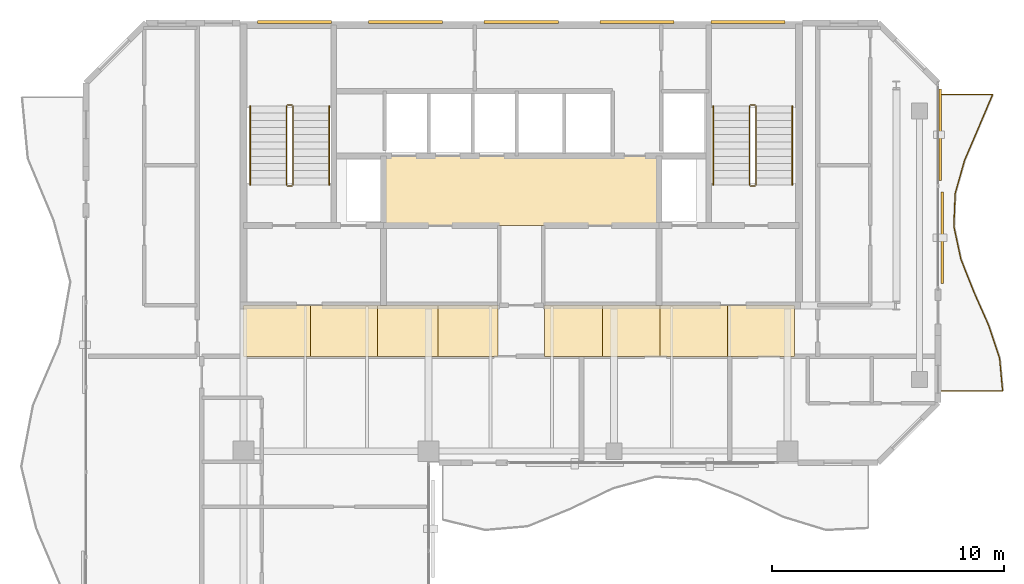
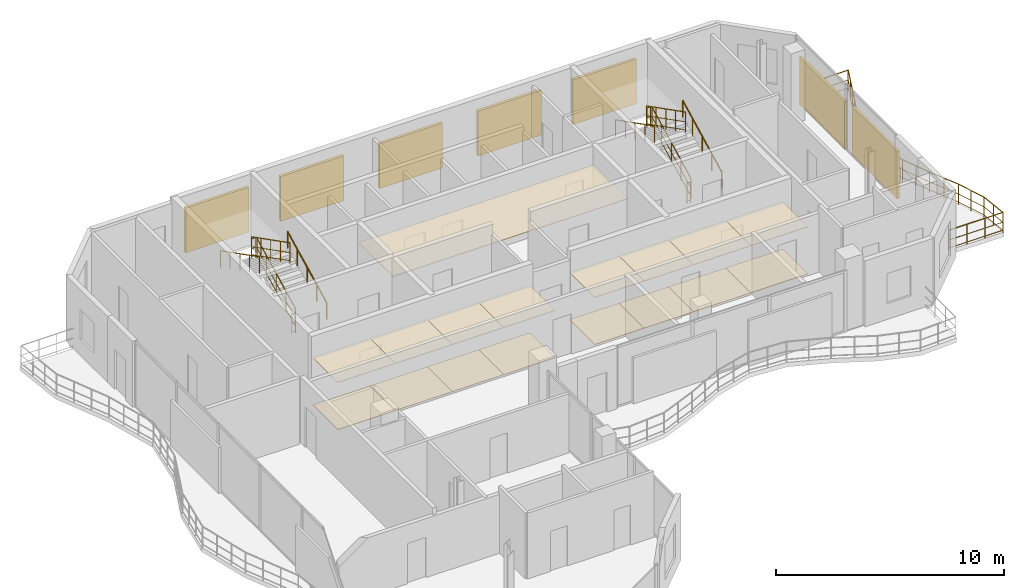
# One storey, part 17 of 17: 17 coverings, 13 railings, 7 shading devices.
"""IFC4 building model written with IfcOpenShell, lengths in metres."""

from ifc_helpers import new_model, si_unit, direction, frame, origin, origin_2d, place, context, subcontext, project, spatial, polyline, rectangle, circle, outline, extrude, material, layer, layer_set, type_object, element, save


model = new_model("IFC4")

# Units and contexts
model_context = context("Model", 3, precision=1e-05, world=origin(), true_north=direction((0.0, 1.0)))
body_context = subcontext(model_context, "Body", "Model", "MODEL_VIEW")
ifc_project = project(units=[si_unit("LENGTHUNIT", "METRE"), si_unit("AREAUNIT", "SQUARE_METRE"), si_unit("VOLUMEUNIT", "CUBIC_METRE"), si_unit("PLANEANGLEUNIT", "RADIAN"), si_unit("MASSUNIT", "GRAM", prefix="KILO")], contexts=[model_context])

# Site, building, storey
site_placement = place(None, origin())
site = spatial("IfcSite", under=ifc_project, at=site_placement, CompositionType="ELEMENT")
building_placement = place(site_placement, origin())
building = spatial("IfcBuilding", under=site, at=building_placement, Name="Catumbela Crestline Tower", CompositionType="ELEMENT")
storey_placement = place(building_placement, frame((0.0, 0.0, 279.2)))
storey = spatial("IfcBuildingStorey", under=building, at=storey_placement, Name="L72", CompositionType="ELEMENT", Elevation=279.2)

# Coverings
ifc_material_1 = material(Name="Mineral-fibre acoustic ceiling")
ifc_layer_1 = layer(ifc_material_1, 0.03, Name="Mineral-fibre acoustic ceiling")
ifc_layer_set_1 = layer_set([ifc_layer_1], Name="Mineral-fibre acoustic ceiling")
covering_type_1 = type_object("IfcCoveringType", Name="CC-AC", PredefinedType="CEILING", material=ifc_layer_set_1)
covering_1_placement = place(storey_placement, frame((0.0, 0.0, 2.65)))
element("IfcCovering", 1, at=covering_1_placement, inside=storey, type_object=covering_type_1, Name="L72 Lift Lobby Acoustic Ceiling", PredefinedType="CEILING", context=body_context, shape_type="SweptSolid", body=[
    extrude(outline(polyline([(22.05, 34.25), (33.95, 34.25), (33.95, 37.25), (22.05, 37.25), (22.05, 34.25)])), origin(), (0.0, 0.0, 1.0), 0.03),
])
covering_2_placement = place(storey_placement, frame((0.0, 0.0, 2.52)))
element("IfcCovering", 2, at=covering_2_placement, inside=storey, type_object=covering_type_1, Name="L72 Corridor Acoustic Ceiling Bay 1", PredefinedType="CEILING", context=body_context, shape_type="SweptSolid", body=[
    extrude(outline(polyline([(16.0, 28.6), (18.9, 28.6), (18.9, 30.8), (16.0, 30.8), (16.0, 28.6)])), origin(), (0.0, 0.0, 1.0), 0.03),
])
covering_3_placement = place(storey_placement, frame((0.0, 0.0, 2.52)))
element("IfcCovering", 3, at=covering_3_placement, inside=storey, type_object=covering_type_1, Name="L72 Corridor Acoustic Ceiling Bay 2", PredefinedType="CEILING", context=body_context, shape_type="SweptSolid", body=[
    extrude(outline(polyline([(18.9, 28.6), (21.8, 28.6), (21.8, 30.8), (18.9, 30.8), (18.9, 28.6)])), origin(), (0.0, 0.0, 1.0), 0.03),
])
covering_4_placement = place(storey_placement, frame((0.0, 0.0, 2.52)))
element("IfcCovering", 4, at=covering_4_placement, inside=storey, type_object=covering_type_1, Name="L72 Corridor Acoustic Ceiling Bay 3", PredefinedType="CEILING", context=body_context, shape_type="SweptSolid", body=[
    extrude(outline(polyline([(21.8, 28.6), (24.4, 28.6), (24.4, 30.8), (21.8, 30.8), (21.8, 28.6)])), origin(), (0.0, 0.0, 1.0), 0.03),
])
covering_5_placement = place(storey_placement, frame((0.0, 0.0, 2.52)))
element("IfcCovering", 5, at=covering_5_placement, inside=storey, type_object=covering_type_1, Name="L72 Corridor Acoustic Ceiling Bay 4", PredefinedType="CEILING", context=body_context, shape_type="SweptSolid", body=[
    extrude(outline(polyline([(24.4, 28.6), (27.0, 28.6), (27.0, 30.8), (24.4, 30.8), (24.4, 28.6)])), origin(), (0.0, 0.0, 1.0), 0.03),
])
covering_6_placement = place(storey_placement, frame((0.0, 0.0, 2.52)))
element("IfcCovering", 6, at=covering_6_placement, inside=storey, type_object=covering_type_1, Name="L72 Corridor Acoustic Ceiling Bay 5", PredefinedType="CEILING", context=body_context, shape_type="SweptSolid", body=[
    extrude(outline(polyline([(29.0, 28.6), (31.5, 28.6), (31.5, 30.8), (29.0, 30.8), (29.0, 28.6)])), origin(), (0.0, 0.0, 1.0), 0.03),
])
covering_7_placement = place(storey_placement, frame((0.0, 0.0, 2.52)))
element("IfcCovering", 7, at=covering_7_placement, inside=storey, type_object=covering_type_1, Name="L72 Corridor Acoustic Ceiling Bay 6", PredefinedType="CEILING", context=body_context, shape_type="SweptSolid", body=[
    extrude(outline(polyline([(31.5, 28.6), (34.0, 28.6), (34.0, 30.8), (31.5, 30.8), (31.5, 28.6)])), origin(), (0.0, 0.0, 1.0), 0.03),
])
covering_8_placement = place(storey_placement, frame((0.0, 0.0, 2.52)))
element("IfcCovering", 8, at=covering_8_placement, inside=storey, type_object=covering_type_1, Name="L72 Corridor Acoustic Ceiling Bay 7", PredefinedType="CEILING", context=body_context, shape_type="SweptSolid", body=[
    extrude(outline(polyline([(34.0, 28.6), (36.9, 28.6), (36.9, 30.8), (34.0, 30.8), (34.0, 28.6)])), origin(), (0.0, 0.0, 1.0), 0.03),
])
covering_9_placement = place(storey_placement, frame((0.0, 0.0, 2.52)))
element("IfcCovering", 9, at=covering_9_placement, inside=storey, type_object=covering_type_1, Name="L72 Corridor Acoustic Ceiling Bay 8", PredefinedType="CEILING", context=body_context, shape_type="SweptSolid", body=[
    extrude(outline(polyline([(36.9, 28.6), (39.8, 28.6), (39.8, 30.8), (36.9, 30.8), (36.9, 28.6)])), origin(), (0.0, 0.0, 1.0), 0.03),
])
ifc_material_2 = material(Name="Angolan grey-ochre granite", Category="masonry")
ifc_layer_2 = layer(ifc_material_2, 0.025, Name="Angolan grey-ochre granite")
ifc_layer_set_2 = layer_set([ifc_layer_2], Name="Angolan grey-ochre granite")
covering_type_2 = type_object("IfcCoveringType", Name="CF-GR", PredefinedType="FLOORING", material=ifc_layer_set_2)
covering_10_placement = place(storey_placement, origin())
element("IfcCovering", 10, at=covering_10_placement, inside=storey, type_object=covering_type_2, Name="L72 Corridor Granite Flooring Bay 1", PredefinedType="FLOORING", context=body_context, shape_type="SweptSolid", body=[
    extrude(outline(polyline([(16.0, 28.6), (18.9, 28.6), (18.9, 30.8), (16.0, 30.8), (16.0, 28.6)])), origin(), (0.0, 0.0, 1.0), 0.025),
])
covering_11_placement = place(storey_placement, origin())
element("IfcCovering", 11, at=covering_11_placement, inside=storey, type_object=covering_type_2, Name="L72 Corridor Granite Flooring Bay 2", PredefinedType="FLOORING", context=body_context, shape_type="SweptSolid", body=[
    extrude(outline(polyline([(18.9, 28.6), (21.8, 28.6), (21.8, 30.8), (18.9, 30.8), (18.9, 28.6)])), origin(), (0.0, 0.0, 1.0), 0.025),
])
covering_12_placement = place(storey_placement, origin())
element("IfcCovering", 12, at=covering_12_placement, inside=storey, type_object=covering_type_2, Name="L72 Corridor Granite Flooring Bay 3", PredefinedType="FLOORING", context=body_context, shape_type="SweptSolid", body=[
    extrude(outline(polyline([(21.8, 28.6), (24.4, 28.6), (24.4, 30.8), (21.8, 30.8), (21.8, 28.6)])), origin(), (0.0, 0.0, 1.0), 0.025),
])
covering_13_placement = place(storey_placement, origin())
element("IfcCovering", 13, at=covering_13_placement, inside=storey, type_object=covering_type_2, Name="L72 Corridor Granite Flooring Bay 4", PredefinedType="FLOORING", context=body_context, shape_type="SweptSolid", body=[
    extrude(outline(polyline([(24.4, 28.6), (27.0, 28.6), (27.0, 30.8), (24.4, 30.8), (24.4, 28.6)])), origin(), (0.0, 0.0, 1.0), 0.025),
])
covering_14_placement = place(storey_placement, origin())
element("IfcCovering", 14, at=covering_14_placement, inside=storey, type_object=covering_type_2, Name="L72 Corridor Granite Flooring Bay 5", PredefinedType="FLOORING", context=body_context, shape_type="SweptSolid", body=[
    extrude(outline(polyline([(29.0, 28.6), (31.5, 28.6), (31.5, 30.8), (29.0, 30.8), (29.0, 28.6)])), origin(), (0.0, 0.0, 1.0), 0.025),
])
covering_15_placement = place(storey_placement, origin())
element("IfcCovering", 15, at=covering_15_placement, inside=storey, type_object=covering_type_2, Name="L72 Corridor Granite Flooring Bay 6", PredefinedType="FLOORING", context=body_context, shape_type="SweptSolid", body=[
    extrude(outline(polyline([(31.5, 28.6), (34.0, 28.6), (34.0, 30.8), (31.5, 30.8), (31.5, 28.6)])), origin(), (0.0, 0.0, 1.0), 0.025),
])
covering_16_placement = place(storey_placement, origin())
element("IfcCovering", 16, at=covering_16_placement, inside=storey, type_object=covering_type_2, Name="L72 Corridor Granite Flooring Bay 7", PredefinedType="FLOORING", context=body_context, shape_type="SweptSolid", body=[
    extrude(outline(polyline([(34.0, 28.6), (36.9, 28.6), (36.9, 30.8), (34.0, 30.8), (34.0, 28.6)])), origin(), (0.0, 0.0, 1.0), 0.025),
])
covering_17_placement = place(storey_placement, origin())
element("IfcCovering", 17, at=covering_17_placement, inside=storey, type_object=covering_type_2, Name="L72 Corridor Granite Flooring Bay 8", PredefinedType="FLOORING", context=body_context, shape_type="SweptSolid", body=[
    extrude(outline(polyline([(36.9, 28.6), (39.8, 28.6), (39.8, 30.8), (36.9, 30.8), (36.9, 28.6)])), origin(), (0.0, 0.0, 1.0), 0.025),
])

# Railings
ifc_material_3 = material(Name="Stainless steel EN 1.4401", Category="steel")
railing_type_1 = type_object("IfcRailingType", Name="RB-1100", PredefinedType="BALUSTRADE", material=ifc_material_3)
railing_1_placement = place(storey_placement, frame((46.06, 27.1, 0.0)))
element("IfcRailing", 18, at=railing_1_placement, inside=storey, type_object=railing_type_1, Name="L72 Private Wave Balcony Balustrade 2", PredefinedType="BALUSTRADE", context=body_context, shape_type="SweptSolid", body=[
    extrude(circle(Radius=0.024, at=origin_2d()), frame((0.0, 0.0, 1.076), z_axis=(1.0, 0.0, 0.0), x_axis=(0.0, 1.0, 0.0)), (0.0, 0.0, 1.0), 2.73),
    extrude(circle(Radius=0.0156, at=origin_2d()), frame((0.0, 0.0, 0.55), z_axis=(1.0, 0.0, 0.0), x_axis=(0.0, 1.0, 0.0)), (0.0, 0.0, 1.0), 2.73),
    extrude(circle(Radius=0.0156, at=origin_2d()), frame((0.0, 0.0, 0.12), z_axis=(1.0, 0.0, 0.0), x_axis=(0.0, 1.0, 0.0)), (0.0, 0.0, 1.0), 2.73),
    extrude(circle(Radius=0.024, at=origin_2d()), frame((2.73, 0.0, 1.076), z_axis=(-0.091791958138, 0.99577820644, 0.0), x_axis=(-0.99577820644, -0.091791958138, 0.0)), (0.0, 0.0, 1.0), 1.4282),
    extrude(circle(Radius=0.0156, at=origin_2d()), frame((2.73, 0.0, 0.55), z_axis=(-0.091791958138, 0.99577820644, 0.0), x_axis=(-0.99577820644, -0.091791958138, 0.0)), (0.0, 0.0, 1.0), 1.4282),
    extrude(circle(Radius=0.0156, at=origin_2d()), frame((2.73, 0.0, 0.12), z_axis=(-0.091791958138, 0.99577820644, 0.0), x_axis=(-0.99577820644, -0.091791958138, 0.0)), (0.0, 0.0, 1.0), 1.4282),
    extrude(circle(Radius=0.024, at=origin_2d()), frame((2.5989, 1.4222, 1.076), z_axis=(-0.317807364035, 0.9481553034, 0.0), x_axis=(-0.9481553034, -0.317807364035, 0.0)), (0.0, 0.0, 1.0), 1.5),
    extrude(circle(Radius=0.0156, at=origin_2d()), frame((2.5989, 1.4222, 0.55), z_axis=(-0.317807364035, 0.9481553034, 0.0), x_axis=(-0.9481553034, -0.317807364035, 0.0)), (0.0, 0.0, 1.0), 1.5),
    extrude(circle(Radius=0.0156, at=origin_2d()), frame((2.5989, 1.4222, 0.12), z_axis=(-0.317807364035, 0.9481553034, 0.0), x_axis=(-0.9481553034, -0.317807364035, 0.0)), (0.0, 0.0, 1.0), 1.5),
    extrude(circle(Radius=0.024, at=origin_2d()), frame((2.1222, 2.8444, 1.076), z_axis=(-0.404509117388, 0.914533965444, 0.0), x_axis=(-0.914533965444, -0.404509117388, 0.0)), (0.0, 0.0, 1.0), 1.5552),
    extrude(circle(Radius=0.0156, at=origin_2d()), frame((2.1222, 2.8444, 0.55), z_axis=(-0.404509117388, 0.914533965444, 0.0), x_axis=(-0.914533965444, -0.404509117388, 0.0)), (0.0, 0.0, 1.0), 1.5552),
    extrude(circle(Radius=0.0156, at=origin_2d()), frame((2.1222, 2.8444, 0.12), z_axis=(-0.404509117388, 0.914533965444, 0.0), x_axis=(-0.914533965444, -0.404509117388, 0.0)), (0.0, 0.0, 1.0), 1.5552),
    extrude(circle(Radius=0.024, at=origin_2d()), frame((1.4931, 4.2667, 1.076), z_axis=(-0.369034608229, 0.929415654016, 0.0), x_axis=(-0.929415654016, -0.369034608229, 0.0)), (0.0, 0.0, 1.0), 1.5302),
    extrude(circle(Radius=0.0156, at=origin_2d()), frame((1.4931, 4.2667, 0.55), z_axis=(-0.369034608229, 0.929415654016, 0.0), x_axis=(-0.929415654016, -0.369034608229, 0.0)), (0.0, 0.0, 1.0), 1.5302),
    extrude(circle(Radius=0.0156, at=origin_2d()), frame((1.4931, 4.2667, 0.12), z_axis=(-0.369034608229, 0.929415654016, 0.0), x_axis=(-0.929415654016, -0.369034608229, 0.0)), (0.0, 0.0, 1.0), 1.5302),
    extrude(circle(Radius=0.024, at=origin_2d()), frame((0.9284, 5.6889, 1.076), z_axis=(-0.210148743753, 0.97766942547, 0.0), x_axis=(-0.97766942547, -0.210148743753, 0.0)), (0.0, 0.0, 1.0), 1.4547),
    extrude(circle(Radius=0.0156, at=origin_2d()), frame((0.9284, 5.6889, 0.55), z_axis=(-0.210148743753, 0.97766942547, 0.0), x_axis=(-0.97766942547, -0.210148743753, 0.0)), (0.0, 0.0, 1.0), 1.4547),
    extrude(circle(Radius=0.0156, at=origin_2d()), frame((0.9284, 5.6889, 0.12), z_axis=(-0.210148743753, 0.97766942547, 0.0), x_axis=(-0.97766942547, -0.210148743753, 0.0)), (0.0, 0.0, 1.0), 1.4547),
    extrude(circle(Radius=0.024, at=origin_2d()), frame((0.6227, 7.1111, 1.076), z_axis=(0.041098701202, 0.999155091445, 0.0), x_axis=(-0.999155091445, 0.041098701202, 0.0)), (0.0, 0.0, 1.0), 1.4234),
    extrude(circle(Radius=0.0156, at=origin_2d()), frame((0.6227, 7.1111, 0.55), z_axis=(0.041098701202, 0.999155091445, 0.0), x_axis=(-0.999155091445, 0.041098701202, 0.0)), (0.0, 0.0, 1.0), 1.4234),
    extrude(circle(Radius=0.0156, at=origin_2d()), frame((0.6227, 7.1111, 0.12), z_axis=(0.041098701202, 0.999155091445, 0.0), x_axis=(-0.999155091445, 0.041098701202, 0.0)), (0.0, 0.0, 1.0), 1.4234),
    extrude(circle(Radius=0.024, at=origin_2d()), frame((0.6812, 8.5333, 1.076), z_axis=(0.272424094445, 0.962177277203, 0.0), x_axis=(-0.962177277203, 0.272424094445, 0.0)), (0.0, 0.0, 1.0), 1.4782),
    extrude(circle(Radius=0.0156, at=origin_2d()), frame((0.6812, 8.5333, 0.55), z_axis=(0.272424094445, 0.962177277203, 0.0), x_axis=(-0.962177277203, 0.272424094445, 0.0)), (0.0, 0.0, 1.0), 1.4782),
    extrude(circle(Radius=0.0156, at=origin_2d()), frame((0.6812, 8.5333, 0.12), z_axis=(0.272424094445, 0.962177277203, 0.0), x_axis=(-0.962177277203, 0.272424094445, 0.0)), (0.0, 0.0, 1.0), 1.4782),
    extrude(circle(Radius=0.024, at=origin_2d()), frame((1.0839, 9.9556, 1.076), z_axis=(0.393092022817, 0.919499136268, 0.0), x_axis=(-0.919499136268, 0.393092022817, 0.0)), (0.0, 0.0, 1.0), 1.5467),
    extrude(circle(Radius=0.0156, at=origin_2d()), frame((1.0839, 9.9556, 0.55), z_axis=(0.393092022817, 0.919499136268, 0.0), x_axis=(-0.919499136268, 0.393092022817, 0.0)), (0.0, 0.0, 1.0), 1.5467),
    extrude(circle(Radius=0.0156, at=origin_2d()), frame((1.0839, 9.9556, 0.12), z_axis=(0.393092022817, 0.919499136268, 0.0), x_axis=(-0.919499136268, 0.393092022817, 0.0)), (0.0, 0.0, 1.0), 1.5467),
    extrude(circle(Radius=0.024, at=origin_2d()), frame((1.6919, 11.3778, 1.076), z_axis=(0.390847339479, 0.920455516156, 0.0), x_axis=(-0.920455516156, 0.390847339479, 0.0)), (0.0, 0.0, 1.0), 1.5451),
    extrude(circle(Radius=0.0156, at=origin_2d()), frame((1.6919, 11.3778, 0.55), z_axis=(0.390847339479, 0.920455516156, 0.0), x_axis=(-0.920455516156, 0.390847339479, 0.0)), (0.0, 0.0, 1.0), 1.5451),
    extrude(circle(Radius=0.0156, at=origin_2d()), frame((1.6919, 11.3778, 0.12), z_axis=(0.390847339479, 0.920455516156, 0.0), x_axis=(-0.920455516156, 0.390847339479, 0.0)), (0.0, 0.0, 1.0), 1.5451),
    extrude(circle(Radius=0.024, at=origin_2d()), frame((2.2958, 12.8, 1.076), z_axis=(-1.0, 0.0, 0.0), x_axis=(0.0, -1.0, 0.0)), (0.0, 0.0, 1.0), 2.2958),
    extrude(circle(Radius=0.0156, at=origin_2d()), frame((2.2958, 12.8, 0.55), z_axis=(-1.0, 0.0, 0.0), x_axis=(0.0, -1.0, 0.0)), (0.0, 0.0, 1.0), 2.2958),
    extrude(circle(Radius=0.0156, at=origin_2d()), frame((2.2958, 12.8, 0.12), z_axis=(-1.0, 0.0, 0.0), x_axis=(0.0, -1.0, 0.0)), (0.0, 0.0, 1.0), 2.2958),
    extrude(circle(Radius=0.021, at=origin_2d()), origin(), (0.0, 0.0, 1.0), 1.052),
    extrude(circle(Radius=0.021, at=origin_2d()), frame((0.91, 0.0, 0.0)), (0.0, 0.0, 1.0), 1.052),
    extrude(circle(Radius=0.021, at=origin_2d()), frame((1.82, 0.0, 0.0)), (0.0, 0.0, 1.0), 1.052),
    extrude(circle(Radius=0.021, at=origin_2d()), frame((2.73, 0.0, 0.0)), (0.0, 0.0, 1.0), 1.052),
    extrude(circle(Radius=0.021, at=origin_2d()), frame((2.6644, 0.7111, 0.0)), (0.0, 0.0, 1.0), 1.052),
    extrude(circle(Radius=0.021, at=origin_2d()), frame((2.5989, 1.4222, 0.0)), (0.0, 0.0, 1.0), 1.052),
    extrude(circle(Radius=0.021, at=origin_2d()), frame((2.3606, 2.1333, 0.0)), (0.0, 0.0, 1.0), 1.052),
    extrude(circle(Radius=0.021, at=origin_2d()), frame((2.1222, 2.8444, 0.0)), (0.0, 0.0, 1.0), 1.052),
    extrude(circle(Radius=0.021, at=origin_2d()), frame((1.8076, 3.5556, 0.0)), (0.0, 0.0, 1.0), 1.052),
    extrude(circle(Radius=0.021, at=origin_2d()), frame((1.4931, 4.2667, 0.0)), (0.0, 0.0, 1.0), 1.052),
    extrude(circle(Radius=0.021, at=origin_2d()), frame((1.2107, 4.9778, 0.0)), (0.0, 0.0, 1.0), 1.052),
    extrude(circle(Radius=0.021, at=origin_2d()), frame((0.9284, 5.6889, 0.0)), (0.0, 0.0, 1.0), 1.052),
    extrude(circle(Radius=0.021, at=origin_2d()), frame((0.7755, 6.4, 0.0)), (0.0, 0.0, 1.0), 1.052),
    extrude(circle(Radius=0.021, at=origin_2d()), frame((0.6227, 7.1111, 0.0)), (0.0, 0.0, 1.0), 1.052),
    extrude(circle(Radius=0.021, at=origin_2d()), frame((0.6519, 7.8222, 0.0)), (0.0, 0.0, 1.0), 1.052),
    extrude(circle(Radius=0.021, at=origin_2d()), frame((0.6812, 8.5333, 0.0)), (0.0, 0.0, 1.0), 1.052),
    extrude(circle(Radius=0.021, at=origin_2d()), frame((0.8825, 9.2444, 0.0)), (0.0, 0.0, 1.0), 1.052),
    extrude(circle(Radius=0.021, at=origin_2d()), frame((1.0839, 9.9556, 0.0)), (0.0, 0.0, 1.0), 1.052),
    extrude(circle(Radius=0.021, at=origin_2d()), frame((1.3879, 10.6667, 0.0)), (0.0, 0.0, 1.0), 1.052),
    extrude(circle(Radius=0.021, at=origin_2d()), frame((1.6919, 11.3778, 0.0)), (0.0, 0.0, 1.0), 1.052),
    extrude(circle(Radius=0.021, at=origin_2d()), frame((1.9938, 12.0889, 0.0)), (0.0, 0.0, 1.0), 1.052),
    extrude(circle(Radius=0.021, at=origin_2d()), frame((2.2958, 12.8, 0.0)), (0.0, 0.0, 1.0), 1.052),
    extrude(circle(Radius=0.021, at=origin_2d()), frame((1.1479, 12.8, 0.0)), (0.0, 0.0, 1.0), 1.052),
    extrude(circle(Radius=0.021, at=origin_2d()), frame((0.0, 12.8, 0.0)), (0.0, 0.0, 1.0), 1.052),
])
railing_type_2 = type_object("IfcRailingType", Name="RG-1100", PredefinedType="GUARDRAIL", material=ifc_material_3)
railing_2_placement = place(storey_placement, frame((18.14, 36.0, 0.1583)))
element("IfcRailing", 19, at=railing_2_placement, inside=storey, type_object=railing_type_2, Name="L72 ST-01 stair guard 1", PredefinedType="GUARDRAIL", context=body_context, shape_type="SweptSolid", body=[
    extrude(circle(Radius=0.024, at=origin_2d()), frame((0.0, 0.0, 1.076), z_axis=(0.0, 0.890560473983, 0.454864861447), x_axis=(-1.0, 0.0, 0.0)), (0.0, 0.0, 1.0), 3.829),
    extrude(circle(Radius=0.0156, at=origin_2d()), frame((0.0, 0.0, 0.55), z_axis=(0.0, 0.890560473983, 0.454864861447), x_axis=(-1.0, 0.0, 0.0)), (0.0, 0.0, 1.0), 3.829),
    extrude(circle(Radius=0.0156, at=origin_2d()), frame((0.0, 0.0, 0.12), z_axis=(0.0, 0.890560473983, 0.454864861447), x_axis=(-1.0, 0.0, 0.0)), (0.0, 0.0, 1.0), 3.829),
    extrude(circle(Radius=0.021, at=origin_2d()), origin(), (0.0, 0.0, 1.0), 1.052),
    extrude(circle(Radius=0.021, at=origin_2d()), frame((0.0, 0.8525, 0.4354)), (0.0, 0.0, 1.0), 1.052),
    extrude(circle(Radius=0.021, at=origin_2d()), frame((0.0, 1.705, 0.8709)), (0.0, 0.0, 1.0), 1.052),
    extrude(circle(Radius=0.021, at=origin_2d()), frame((0.0, 2.5575, 1.3063)), (0.0, 0.0, 1.0), 1.052),
    extrude(circle(Radius=0.021, at=origin_2d()), frame((0.0, 3.41, 1.7417)), (0.0, 0.0, 1.0), 1.052),
])
railing_3_placement = place(storey_placement, frame((18.09, 39.46, 1.9)))
element("IfcRailing", 20, at=railing_3_placement, inside=storey, type_object=railing_type_2, Name="L72 ST-01 stair guard 2", PredefinedType="GUARDRAIL", context=body_context, shape_type="SweptSolid", body=[
    extrude(circle(Radius=0.024, at=origin_2d()), frame((0.0, 0.0, 1.076), z_axis=(-1.0, 0.0, 0.0), x_axis=(0.0, -1.0, 0.0)), (0.0, 0.0, 1.0), 0.18),
    extrude(circle(Radius=0.0156, at=origin_2d()), frame((0.0, 0.0, 0.55), z_axis=(-1.0, 0.0, 0.0), x_axis=(0.0, -1.0, 0.0)), (0.0, 0.0, 1.0), 0.18),
    extrude(circle(Radius=0.0156, at=origin_2d()), frame((0.0, 0.0, 0.12), z_axis=(-1.0, 0.0, 0.0), x_axis=(0.0, -1.0, 0.0)), (0.0, 0.0, 1.0), 0.18),
    extrude(circle(Radius=0.021, at=origin_2d()), origin(), (0.0, 0.0, 1.0), 1.052),
    extrude(circle(Radius=0.021, at=origin_2d()), frame((-0.18, 0.0, 0.0)), (0.0, 0.0, 1.0), 1.052),
])
railing_4_placement = place(storey_placement, frame((17.86, 39.41, 2.0583)))
element("IfcRailing", 21, at=railing_4_placement, inside=storey, type_object=railing_type_2, Name="L72 ST-01 stair guard 3", PredefinedType="GUARDRAIL", context=body_context, shape_type="SweptSolid", body=[
    extrude(circle(Radius=0.024, at=origin_2d()), frame((0.0, 0.0, 1.076), z_axis=(0.0, -0.890560473983, 0.454864861447), x_axis=(1.0, 0.0, 0.0)), (0.0, 0.0, 1.0), 3.829),
    extrude(circle(Radius=0.0156, at=origin_2d()), frame((0.0, 0.0, 0.55), z_axis=(0.0, -0.890560473983, 0.454864861447), x_axis=(1.0, 0.0, 0.0)), (0.0, 0.0, 1.0), 3.829),
    extrude(circle(Radius=0.0156, at=origin_2d()), frame((0.0, 0.0, 0.12), z_axis=(0.0, -0.890560473983, 0.454864861447), x_axis=(1.0, 0.0, 0.0)), (0.0, 0.0, 1.0), 3.829),
    extrude(circle(Radius=0.021, at=origin_2d()), origin(), (0.0, 0.0, 1.0), 1.052),
    extrude(circle(Radius=0.021, at=origin_2d()), frame((0.0, -0.8525, 0.4354)), (0.0, 0.0, 1.0), 1.052),
    extrude(circle(Radius=0.021, at=origin_2d()), frame((0.0, -1.705, 0.8708)), (0.0, 0.0, 1.0), 1.052),
    extrude(circle(Radius=0.021, at=origin_2d()), frame((0.0, -2.5575, 1.3063)), (0.0, 0.0, 1.0), 1.052),
    extrude(circle(Radius=0.021, at=origin_2d()), frame((0.0, -3.41, 1.7417)), (0.0, 0.0, 1.0), 1.052),
])
railing_5_placement = place(storey_placement, frame((18.09, 35.95, 0.0)))
element("IfcRailing", 22, at=railing_5_placement, inside=storey, type_object=railing_type_2, Name="L72 ST-01 stair guard 4", PredefinedType="GUARDRAIL", context=body_context, shape_type="SweptSolid", body=[
    extrude(circle(Radius=0.024, at=origin_2d()), frame((0.0, 0.0, 1.076), z_axis=(-1.0, 0.0, 0.0), x_axis=(0.0, -1.0, 0.0)), (0.0, 0.0, 1.0), 0.18),
    extrude(circle(Radius=0.0156, at=origin_2d()), frame((0.0, 0.0, 0.55), z_axis=(-1.0, 0.0, 0.0), x_axis=(0.0, -1.0, 0.0)), (0.0, 0.0, 1.0), 0.18),
    extrude(circle(Radius=0.0156, at=origin_2d()), frame((0.0, 0.0, 0.12), z_axis=(-1.0, 0.0, 0.0), x_axis=(0.0, -1.0, 0.0)), (0.0, 0.0, 1.0), 0.18),
    extrude(circle(Radius=0.021, at=origin_2d()), origin(), (0.0, 0.0, 1.0), 1.052),
    extrude(circle(Radius=0.021, at=origin_2d()), frame((-0.18, 0.0, 0.0)), (0.0, 0.0, 1.0), 1.052),
])
railing_6_placement = place(storey_placement, frame((38.14, 36.0, 0.1583)))
element("IfcRailing", 23, at=railing_6_placement, inside=storey, type_object=railing_type_2, Name="L72 ST-02 stair guard 1", PredefinedType="GUARDRAIL", context=body_context, shape_type="SweptSolid", body=[
    extrude(circle(Radius=0.024, at=origin_2d()), frame((0.0, 0.0, 1.076), z_axis=(0.0, 0.890560473983, 0.454864861447), x_axis=(-1.0, 0.0, 0.0)), (0.0, 0.0, 1.0), 3.829),
    extrude(circle(Radius=0.0156, at=origin_2d()), frame((0.0, 0.0, 0.55), z_axis=(0.0, 0.890560473983, 0.454864861447), x_axis=(-1.0, 0.0, 0.0)), (0.0, 0.0, 1.0), 3.829),
    extrude(circle(Radius=0.0156, at=origin_2d()), frame((0.0, 0.0, 0.12), z_axis=(0.0, 0.890560473983, 0.454864861447), x_axis=(-1.0, 0.0, 0.0)), (0.0, 0.0, 1.0), 3.829),
    extrude(circle(Radius=0.021, at=origin_2d()), origin(), (0.0, 0.0, 1.0), 1.052),
    extrude(circle(Radius=0.021, at=origin_2d()), frame((0.0, 0.8525, 0.4354)), (0.0, 0.0, 1.0), 1.052),
    extrude(circle(Radius=0.021, at=origin_2d()), frame((0.0, 1.705, 0.8709)), (0.0, 0.0, 1.0), 1.052),
    extrude(circle(Radius=0.021, at=origin_2d()), frame((0.0, 2.5575, 1.3063)), (0.0, 0.0, 1.0), 1.052),
    extrude(circle(Radius=0.021, at=origin_2d()), frame((0.0, 3.41, 1.7417)), (0.0, 0.0, 1.0), 1.052),
])
railing_7_placement = place(storey_placement, frame((38.09, 39.46, 1.9)))
element("IfcRailing", 24, at=railing_7_placement, inside=storey, type_object=railing_type_2, Name="L72 ST-02 stair guard 2", PredefinedType="GUARDRAIL", context=body_context, shape_type="SweptSolid", body=[
    extrude(circle(Radius=0.024, at=origin_2d()), frame((0.0, 0.0, 1.076), z_axis=(-1.0, 0.0, 0.0), x_axis=(0.0, -1.0, 0.0)), (0.0, 0.0, 1.0), 0.18),
    extrude(circle(Radius=0.0156, at=origin_2d()), frame((0.0, 0.0, 0.55), z_axis=(-1.0, 0.0, 0.0), x_axis=(0.0, -1.0, 0.0)), (0.0, 0.0, 1.0), 0.18),
    extrude(circle(Radius=0.0156, at=origin_2d()), frame((0.0, 0.0, 0.12), z_axis=(-1.0, 0.0, 0.0), x_axis=(0.0, -1.0, 0.0)), (0.0, 0.0, 1.0), 0.18),
    extrude(circle(Radius=0.021, at=origin_2d()), origin(), (0.0, 0.0, 1.0), 1.052),
    extrude(circle(Radius=0.021, at=origin_2d()), frame((-0.18, 0.0, 0.0)), (0.0, 0.0, 1.0), 1.052),
])
railing_8_placement = place(storey_placement, frame((37.86, 39.41, 2.0583)))
element("IfcRailing", 25, at=railing_8_placement, inside=storey, type_object=railing_type_2, Name="L72 ST-02 stair guard 3", PredefinedType="GUARDRAIL", context=body_context, shape_type="SweptSolid", body=[
    extrude(circle(Radius=0.024, at=origin_2d()), frame((0.0, 0.0, 1.076), z_axis=(0.0, -0.890560473983, 0.454864861447), x_axis=(1.0, 0.0, 0.0)), (0.0, 0.0, 1.0), 3.829),
    extrude(circle(Radius=0.0156, at=origin_2d()), frame((0.0, 0.0, 0.55), z_axis=(0.0, -0.890560473983, 0.454864861447), x_axis=(1.0, 0.0, 0.0)), (0.0, 0.0, 1.0), 3.829),
    extrude(circle(Radius=0.0156, at=origin_2d()), frame((0.0, 0.0, 0.12), z_axis=(0.0, -0.890560473983, 0.454864861447), x_axis=(1.0, 0.0, 0.0)), (0.0, 0.0, 1.0), 3.829),
    extrude(circle(Radius=0.021, at=origin_2d()), origin(), (0.0, 0.0, 1.0), 1.052),
    extrude(circle(Radius=0.021, at=origin_2d()), frame((0.0, -0.8525, 0.4354)), (0.0, 0.0, 1.0), 1.052),
    extrude(circle(Radius=0.021, at=origin_2d()), frame((0.0, -1.705, 0.8708)), (0.0, 0.0, 1.0), 1.052),
    extrude(circle(Radius=0.021, at=origin_2d()), frame((0.0, -2.5575, 1.3063)), (0.0, 0.0, 1.0), 1.052),
    extrude(circle(Radius=0.021, at=origin_2d()), frame((0.0, -3.41, 1.7417)), (0.0, 0.0, 1.0), 1.052),
])
railing_9_placement = place(storey_placement, frame((38.09, 35.95, 0.0)))
element("IfcRailing", 26, at=railing_9_placement, inside=storey, type_object=railing_type_2, Name="L72 ST-02 stair guard 4", PredefinedType="GUARDRAIL", context=body_context, shape_type="SweptSolid", body=[
    extrude(circle(Radius=0.024, at=origin_2d()), frame((0.0, 0.0, 1.076), z_axis=(-1.0, 0.0, 0.0), x_axis=(0.0, -1.0, 0.0)), (0.0, 0.0, 1.0), 0.18),
    extrude(circle(Radius=0.0156, at=origin_2d()), frame((0.0, 0.0, 0.55), z_axis=(-1.0, 0.0, 0.0), x_axis=(0.0, -1.0, 0.0)), (0.0, 0.0, 1.0), 0.18),
    extrude(circle(Radius=0.0156, at=origin_2d()), frame((0.0, 0.0, 0.12), z_axis=(-1.0, 0.0, 0.0), x_axis=(0.0, -1.0, 0.0)), (0.0, 0.0, 1.0), 0.18),
    extrude(circle(Radius=0.021, at=origin_2d()), origin(), (0.0, 0.0, 1.0), 1.052),
    extrude(circle(Radius=0.021, at=origin_2d()), frame((-0.18, 0.0, 0.0)), (0.0, 0.0, 1.0), 1.052),
])
railing_type_3 = type_object("IfcRailingType", Name="RH-0900", PredefinedType="HANDRAIL", material=ifc_material_3)
railing_10_placement = place(storey_placement, frame((19.7, 36.0, 0.1583)))
element("IfcRailing", 27, at=railing_10_placement, inside=storey, type_object=railing_type_3, Name="L72 ST-01 stair handrail 1", PredefinedType="HANDRAIL", context=body_context, shape_type="SweptSolid", body=[
    extrude(circle(Radius=0.024, at=origin_2d()), frame((0.0, 0.0, 0.876), z_axis=(0.0, 0.890560473983, 0.454864861447), x_axis=(-1.0, 0.0, 0.0)), (0.0, 0.0, 1.0), 3.829),
    extrude(circle(Radius=0.021, at=origin_2d()), origin(), (0.0, 0.0, 1.0), 0.852),
    extrude(circle(Radius=0.021, at=origin_2d()), frame((0.0, 0.8525, 0.4354)), (0.0, 0.0, 1.0), 0.852),
    extrude(circle(Radius=0.021, at=origin_2d()), frame((0.0, 1.705, 0.8709)), (0.0, 0.0, 1.0), 0.852),
    extrude(circle(Radius=0.021, at=origin_2d()), frame((0.0, 2.5575, 1.3063)), (0.0, 0.0, 1.0), 0.852),
    extrude(circle(Radius=0.021, at=origin_2d()), frame((0.0, 3.41, 1.7417)), (0.0, 0.0, 1.0), 0.852),
])
railing_11_placement = place(storey_placement, frame((16.3, 39.41, 2.0583)))
element("IfcRailing", 28, at=railing_11_placement, inside=storey, type_object=railing_type_3, Name="L72 ST-01 stair handrail 2", PredefinedType="HANDRAIL", context=body_context, shape_type="SweptSolid", body=[
    extrude(circle(Radius=0.024, at=origin_2d()), frame((0.0, 0.0, 0.876), z_axis=(0.0, -0.890560473983, 0.454864861447), x_axis=(1.0, 0.0, 0.0)), (0.0, 0.0, 1.0), 3.829),
    extrude(circle(Radius=0.021, at=origin_2d()), origin(), (0.0, 0.0, 1.0), 0.852),
    extrude(circle(Radius=0.021, at=origin_2d()), frame((0.0, -0.8525, 0.4354)), (0.0, 0.0, 1.0), 0.852),
    extrude(circle(Radius=0.021, at=origin_2d()), frame((0.0, -1.705, 0.8708)), (0.0, 0.0, 1.0), 0.852),
    extrude(circle(Radius=0.021, at=origin_2d()), frame((0.0, -2.5575, 1.3063)), (0.0, 0.0, 1.0), 0.852),
    extrude(circle(Radius=0.021, at=origin_2d()), frame((0.0, -3.41, 1.7417)), (0.0, 0.0, 1.0), 0.852),
])
railing_12_placement = place(storey_placement, frame((39.7, 36.0, 0.1583)))
element("IfcRailing", 29, at=railing_12_placement, inside=storey, type_object=railing_type_3, Name="L72 ST-02 stair handrail 1", PredefinedType="HANDRAIL", context=body_context, shape_type="SweptSolid", body=[
    extrude(circle(Radius=0.024, at=origin_2d()), frame((0.0, 0.0, 0.876), z_axis=(0.0, 0.890560473983, 0.454864861447), x_axis=(-1.0, 0.0, 0.0)), (0.0, 0.0, 1.0), 3.829),
    extrude(circle(Radius=0.021, at=origin_2d()), origin(), (0.0, 0.0, 1.0), 0.852),
    extrude(circle(Radius=0.021, at=origin_2d()), frame((0.0, 0.8525, 0.4354)), (0.0, 0.0, 1.0), 0.852),
    extrude(circle(Radius=0.021, at=origin_2d()), frame((0.0, 1.705, 0.8709)), (0.0, 0.0, 1.0), 0.852),
    extrude(circle(Radius=0.021, at=origin_2d()), frame((0.0, 2.5575, 1.3063)), (0.0, 0.0, 1.0), 0.852),
    extrude(circle(Radius=0.021, at=origin_2d()), frame((0.0, 3.41, 1.7417)), (0.0, 0.0, 1.0), 0.852),
])
railing_13_placement = place(storey_placement, frame((36.3, 39.41, 2.0583)))
element("IfcRailing", 30, at=railing_13_placement, inside=storey, type_object=railing_type_3, Name="L72 ST-02 stair handrail 2", PredefinedType="HANDRAIL", context=body_context, shape_type="SweptSolid", body=[
    extrude(circle(Radius=0.024, at=origin_2d()), frame((0.0, 0.0, 0.876), z_axis=(0.0, -0.890560473983, 0.454864861447), x_axis=(1.0, 0.0, 0.0)), (0.0, 0.0, 1.0), 3.829),
    extrude(circle(Radius=0.021, at=origin_2d()), origin(), (0.0, 0.0, 1.0), 0.852),
    extrude(circle(Radius=0.021, at=origin_2d()), frame((0.0, -0.8525, 0.4354)), (0.0, 0.0, 1.0), 0.852),
    extrude(circle(Radius=0.021, at=origin_2d()), frame((0.0, -1.705, 0.8708)), (0.0, 0.0, 1.0), 0.852),
    extrude(circle(Radius=0.021, at=origin_2d()), frame((0.0, -2.5575, 1.3063)), (0.0, 0.0, 1.0), 0.852),
    extrude(circle(Radius=0.021, at=origin_2d()), frame((0.0, -3.41, 1.7417)), (0.0, 0.0, 1.0), 0.852),
])

# Shading devices
ifc_material_4 = material(Name="Extruded terracotta ceramic", Category="masonry")
shading_device_type_1 = type_object("IfcShadingDeviceType", Name="ST-180", PredefinedType="USERDEFINED", material=ifc_material_4)
for number, where, z_axis, x_axis, name in (
    (31, (28.0, 43.04, 0.55), (0.0, 0.0, 1.0), (1.0, 0.0, 0.0), "L72 Rear Core Terracotta Brise-Soleil Screen 884"),
    (32, (37.8, 43.04, 0.55), (0.0, 0.0, 1.0), (1.0, 0.0, 0.0), "L72 Rear Core Terracotta Brise-Soleil Screen 886"),
):
    element("IfcShadingDevice", number, at=place(storey_placement, frame(where, z_axis=z_axis, x_axis=x_axis)), inside=storey, type_object=shading_device_type_1, Name=name, ObjectType="SCREEN", PredefinedType="USERDEFINED", context=body_context, shape_type="SweptSolid", body=[
        extrude(rectangle(XDim=3.2, YDim=0.14, at=origin_2d()), origin(), (0.0, 0.0, 1.0), 2.4),
    ])
shading_device_1_placement = place(storey_placement, frame((46.099, 38.175, -0.1), z_axis=(0.0, 0.0, 1.0), x_axis=(0.0, 1.0, 0.0)))
element("IfcShadingDevice", 33, at=shading_device_1_placement, inside=storey, type_object=shading_device_type_1, Name="L72 Perforated Terracotta Solar Screen 893 (180 mm)", ObjectType="SCREEN", PredefinedType="USERDEFINED", context=body_context, shape_type="SweptSolid", body=[
    extrude(rectangle(XDim=3.96, YDim=0.12, at=origin_2d()), origin(), (0.0, 0.0, 1.0), 2.55),
])
shading_device_type_2 = type_object("IfcShadingDeviceType", Name="ST-260", PredefinedType="USERDEFINED", material=ifc_material_4)
shading_device_2_placement = place(storey_placement, frame((23.0, 43.04, 0.55), z_axis=(0.0, 0.0, 1.0), x_axis=(1.0, 0.0, 0.0)))
element("IfcShadingDevice", 34, at=shading_device_2_placement, inside=storey, type_object=shading_device_type_2, Name="L72 Rear Core Terracotta Brise-Soleil Screen 883", ObjectType="SCREEN", PredefinedType="USERDEFINED", context=body_context, shape_type="SweptSolid", body=[
    extrude(rectangle(XDim=3.2, YDim=0.14, at=origin_2d()), origin(), (0.0, 0.0, 1.0), 2.4),
])
shading_device_type_3 = type_object("IfcShadingDeviceType", Name="ST-340", PredefinedType="USERDEFINED", material=ifc_material_4)
for number, where, z_axis, x_axis, name in (
    (35, (18.2, 43.04, 0.55), (0.0, 0.0, 1.0), (1.0, 0.0, 0.0), "L72 Rear Core Terracotta Brise-Soleil Screen 882"),
    (36, (33.0, 43.04, 0.55), (0.0, 0.0, 1.0), (1.0, 0.0, 0.0), "L72 Rear Core Terracotta Brise-Soleil Screen 885"),
):
    element("IfcShadingDevice", number, at=place(storey_placement, frame(where, z_axis=z_axis, x_axis=x_axis)), inside=storey, type_object=shading_device_type_3, Name=name, ObjectType="SCREEN", PredefinedType="USERDEFINED", context=body_context, shape_type="SweptSolid", body=[
        extrude(rectangle(XDim=3.2, YDim=0.14, at=origin_2d()), origin(), (0.0, 0.0, 1.0), 2.4),
    ])
shading_device_3_placement = place(storey_placement, frame((46.187, 33.725, -0.1), z_axis=(0.0, 0.0, 1.0), x_axis=(0.0, 1.0, 0.0)))
element("IfcShadingDevice", 37, at=shading_device_3_placement, inside=storey, type_object=shading_device_type_3, Name="L72 Perforated Terracotta Solar Screen 892 (340 mm)", ObjectType="SCREEN", PredefinedType="USERDEFINED", context=body_context, shape_type="SweptSolid", body=[
    extrude(rectangle(XDim=3.96, YDim=0.12, at=origin_2d()), origin(), (0.0, 0.0, 1.0), 2.55),
])

save(model, "model.ifc")
